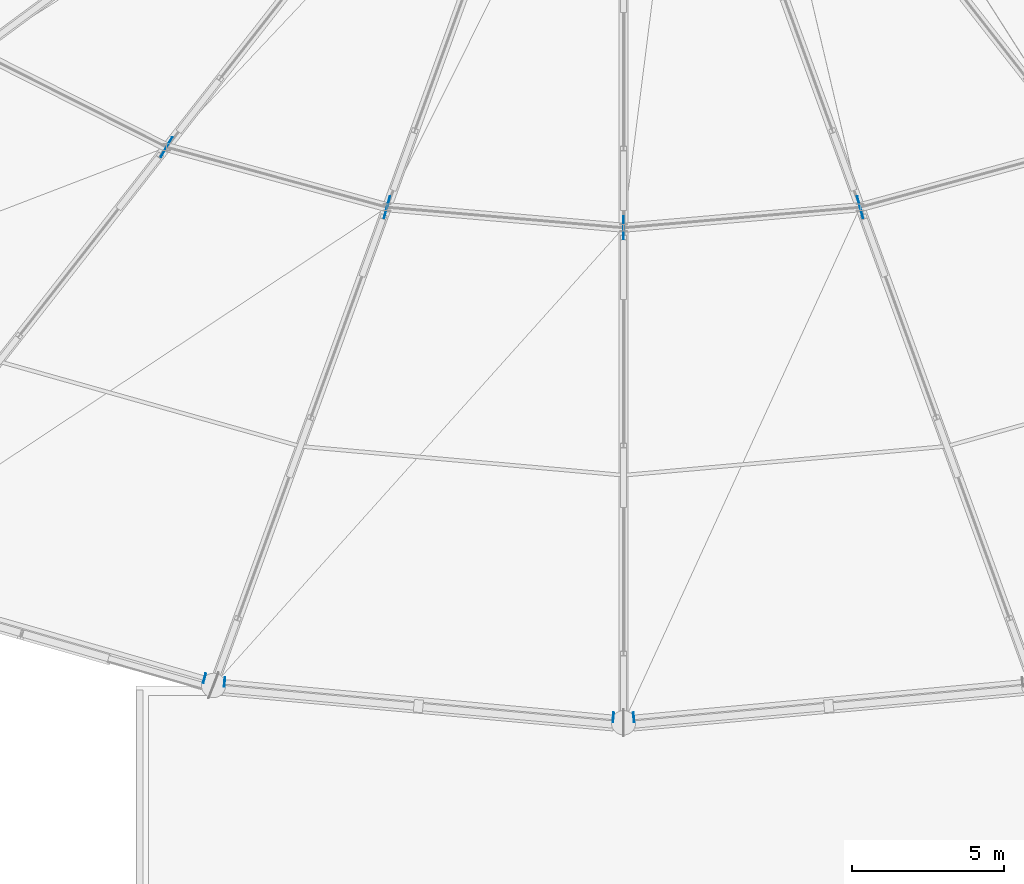
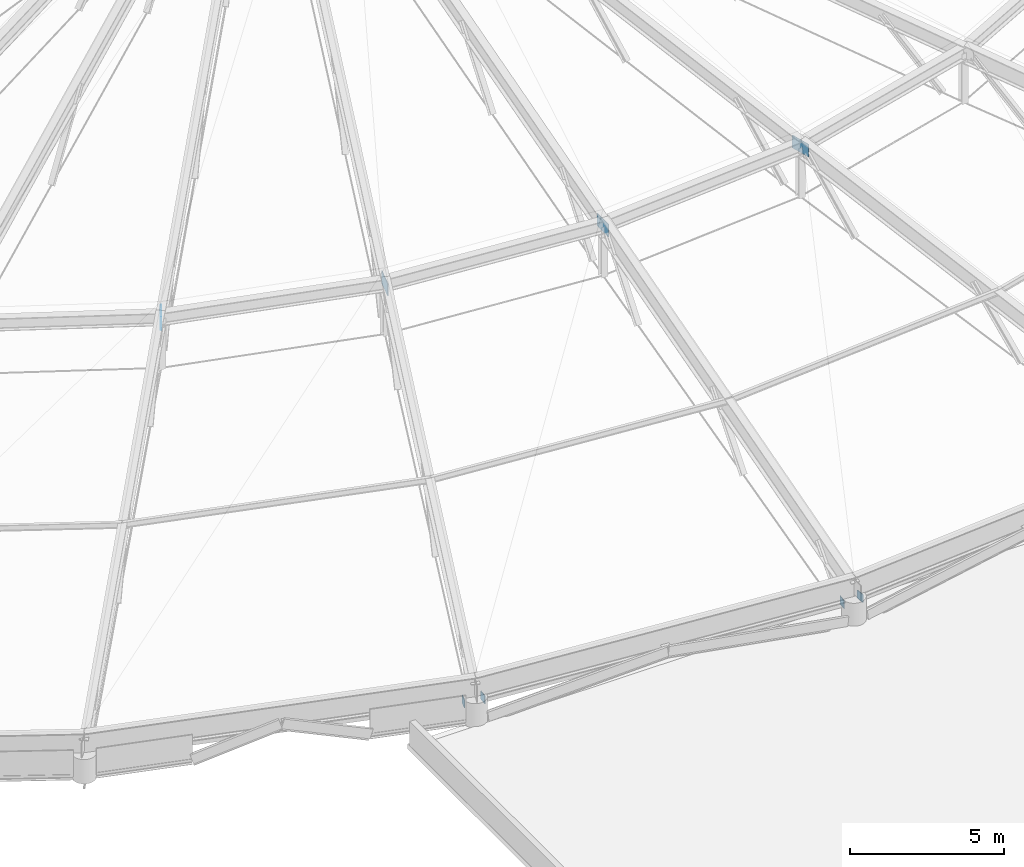
# One storey, part 59 of 83: 8 plates.
"""IFC4 building model written with IfcOpenShell, lengths in metres."""

from ifc_helpers import new_model, si_unit, direction, frame, origin, origin_2d, place, context, subcontext, project, spatial, rectangle, extrude, material, layer, layer_set, type_object, element, save


model = new_model("IFC4")

# Units and contexts
model_context = context("Model", 3, precision=1e-05, world=origin(), true_north=direction((0.0, 1.0)))
body_context = subcontext(model_context, "Body", "Model", "MODEL_VIEW")
ifc_project = project(units=[si_unit("LENGTHUNIT", "METRE"), si_unit("AREAUNIT", "SQUARE_METRE"), si_unit("VOLUMEUNIT", "CUBIC_METRE"), si_unit("PLANEANGLEUNIT", "RADIAN"), si_unit("MASSUNIT", "GRAM", prefix="KILO")], contexts=[model_context])

# Site, building, storey
site_placement = place(None, origin())
site = spatial("IfcSite", under=ifc_project, at=site_placement, CompositionType="ELEMENT")
building_placement = place(site_placement, origin())
building = spatial("IfcBuilding", under=site, at=building_placement, Name="Kivolera Central Railway Station", CompositionType="ELEMENT")
storey_placement = place(building_placement, frame((0.0, 0.0, 14.39990234375)))
storey = spatial("IfcBuildingStorey", under=building, at=storey_placement, Name="L03", CompositionType="ELEMENT", Elevation=14.39990234375)

# Plates
ifc_material = material(Name="Steel S355", Category="steel")
ifc_layer_1 = layer(ifc_material, 0.02490234375, Name="Steel S355")
ifc_layer_set_1 = layer_set([ifc_layer_1], Name="Steel S355")
plate_type_1 = type_object("IfcPlateType", Name="PLT-CAP-320", PredefinedType="SHEET", material=ifc_layer_set_1)
for number, where, z_axis, x_axis, name in (
    (1, (50.243896484375, 55.462890625, 0.735107421875), (0.961251247527, -0.275673791151, 0.0), (0.275673791151, 0.961251247527, 0.0), "Hollow section end-cap plate NP-CAP1"),
    (2, (50.904052734375, 55.339111328125, 0.735107421875), (0.995873980244, -0.090746986022, 0.0), (0.090746986022, 0.995873980244, 0.0), "Hollow section end-cap plate NP-CAP1"),
    (3, (63.6640625, 54.177001953125, 0.735107421875), (0.995873980244, -0.090746986022, 0.0), (0.090746986022, 0.995873980244, 0.0), "Hollow section end-cap plate NP-CAP1"),
    (4, (64.3359375, 54.177001953125, 0.735107421875), (0.995873980244, 0.090746986022, 0.0), (-0.090746986022, 0.995873980244, 0.0), "Hollow section end-cap plate NP-CAP1"),
):
    element("IfcPlate", number, at=place(storey_placement, frame(where, z_axis=z_axis, x_axis=x_axis)), inside=storey, type_object=plate_type_1, Name=name, PredefinedType="SHEET", context=body_context, shape_type="SweptSolid", body=[
        extrude(rectangle(XDim=0.320068359375, YDim=0.320068359375, at=origin_2d()), frame((0.0, 0.0, -0.012451171875)), (0.0, 0.0, 1.0), 0.02490234375),
    ])
ifc_layer_2 = layer(ifc_material, 0.02392578125, Name="Steel S355")
ifc_layer_set_2 = layer_set([ifc_layer_2], Name="Steel S355")
plate_type_2 = type_object("IfcPlateType", Name="PLT-GUS-750", PredefinedType="SHEET", material=ifc_layer_set_2)
for number, where, z_axis, x_axis, name in (
    (5, (49.0, 72.89599609375, 5.530029296875), (0.0, 0.0, 1.0), (-0.5, -0.866025403784, 0.0), "Dome Ring Node Gusset Plate R1-17"),
    (6, (56.235107421875, 70.923095703125, 5.530029296875), (0.0, 0.0, 1.0), (-0.258819045103, -0.965925826289, 0.0), "Dome Ring Node Gusset Plate R1-18"),
    (7, (64.0, 70.25, 5.530029296875), (0.0, 0.0, 1.0), (0.0, -1.0, 0.0), "Dome Ring Node Gusset Plate R1-19"),
    (8, (71.764892578125, 70.923095703125, 5.530029296875), (0.0, 0.0, 1.0), (0.258819045103, -0.965925826289, 0.0), "Dome Ring Node Gusset Plate R1-20"),
):
    element("IfcPlate", number, at=place(storey_placement, frame(where, z_axis=z_axis, x_axis=x_axis)), inside=storey, type_object=plate_type_2, Name=name, PredefinedType="SHEET", context=body_context, shape_type="SweptSolid", body=[
        extrude(rectangle(XDim=0.75, YDim=0.02392578125, at=origin_2d()), origin(), (0.0, 0.0, 1.0), 0.5),
    ])

save(model, "model.ifc")
